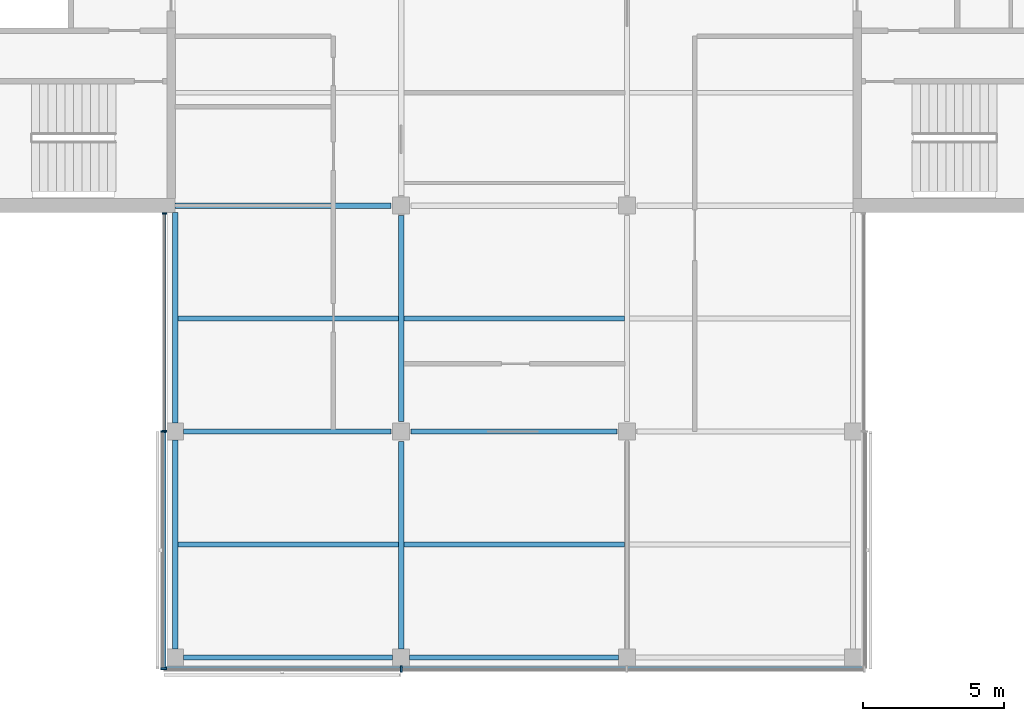
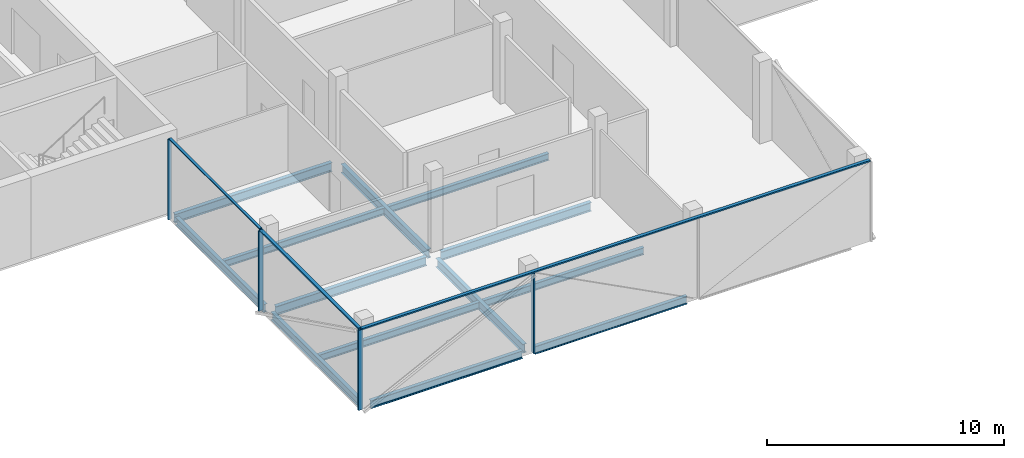
# One storey, part 2 of 16: 13 beams, 8 members, 3 elements without a shape of their own.
"""IFC4 building model written with IfcOpenShell, lengths in metres."""

from ifc_helpers import new_model, si_unit, direction, frame, origin, origin_2d, place, context, subcontext, project, spatial, rectangle, i_section, extrude, material, material_profile, profile_set, type_object, element, aggregate, save


model = new_model("IFC4")

# Units and contexts
model_context = context("Model", 3, precision=1e-05, world=origin(), true_north=direction((0.0, 1.0)))
body_context = subcontext(model_context, "Body", "Model", "MODEL_VIEW")
ifc_project = project(units=[si_unit("LENGTHUNIT", "METRE"), si_unit("AREAUNIT", "SQUARE_METRE"), si_unit("VOLUMEUNIT", "CUBIC_METRE"), si_unit("PLANEANGLEUNIT", "RADIAN"), si_unit("MASSUNIT", "GRAM", prefix="KILO")], contexts=[model_context])

# Site, building, storey
site_placement = place(None, origin())
site = spatial("IfcSite", under=ifc_project, at=site_placement, CompositionType="ELEMENT")
building_placement = place(site_placement, origin())
building = spatial("IfcBuilding", under=site, at=building_placement, Name="Crosswind Convention Tower", CompositionType="ELEMENT")
storey_placement = place(building_placement, frame((0.0, 0.0, 295.5)))
storey = spatial("IfcBuildingStorey", under=building, at=storey_placement, Name="L64", CompositionType="ELEMENT", Elevation=295.5)

# Beams
ifc_material_1 = material(Name="Steel S355", Category="steel")
ifc_material_profile_1 = material_profile(ifc_material_1, i_section(OverallWidth=0.177734375, OverallDepth=0.406494140625, WebThickness=0.0078125, FlangeThickness=0.0126953125, FilletRadius=0.01025390625, at=origin_2d()), Name="UB 406x178x60")
ifc_profile_set_1 = profile_set([ifc_material_profile_1], Name="Steel S355")
beam_type_1 = type_object("IfcBeamType", Name="Edge beam UB 406x178x60", PredefinedType="SPANDREL", material=ifc_profile_set_1)
beam_1_placement = place(storey_placement, frame((113.0, 72.300048828125, -0.503173828125), z_axis=(0.0, 1.0, 0.0), x_axis=(-1.0, 0.0, 0.0)))
element("IfcBeam", 1, at=beam_1_placement, inside=storey, type_object=beam_type_1, Name="B15 L64 edge beam 1", PredefinedType="SPANDREL", context=body_context, shape_type="SweptSolid", body=[
    extrude(i_section(OverallWidth=0.177734375, OverallDepth=0.406494140625, WebThickness=0.0078125, FlangeThickness=0.0126953125, FilletRadius=0.01025390625, at=origin_2d()), origin(), (0.0, 0.0, 1.0), 7.39990234375),
])
beam_2_placement = place(storey_placement, frame((113.0, 80.300048828125, -0.503173828125), z_axis=(0.0, 1.0, 0.0), x_axis=(-1.0, 0.0, 0.0)))
element("IfcBeam", 2, at=beam_2_placement, inside=storey, type_object=beam_type_1, Name="B15 L64 edge beam 2", PredefinedType="SPANDREL", context=body_context, shape_type="SweptSolid", body=[
    extrude(i_section(OverallWidth=0.177734375, OverallDepth=0.406494140625, WebThickness=0.0078125, FlangeThickness=0.0126953125, FilletRadius=0.01025390625, at=origin_2d()), origin(), (0.0, 0.0, 1.0), 7.449951171875),
])
for number, where, z_axis, x_axis, name in (
    (3, (113.300048828125, 72.0, -0.503173828125), (1.0, 0.0, 0.0), (0.0, 1.0, 0.0), "B15 L64 edge beam 5"),
    (4, (121.300048828125, 72.0, -0.503173828125), (1.0, 0.0, 0.0), (0.0, 1.0, 0.0), "B15 L64 edge beam 7"),
):
    element("IfcBeam", number, at=place(storey_placement, frame(where, z_axis=z_axis, x_axis=x_axis)), inside=storey, type_object=beam_type_1, Name=name, PredefinedType="SPANDREL", context=body_context, shape_type="SweptSolid", body=[
        extrude(i_section(OverallWidth=0.177734375, OverallDepth=0.406494140625, WebThickness=0.0078125, FlangeThickness=0.0126953125, FilletRadius=0.01025390625, at=origin_2d()), origin(), (0.0, 0.0, 1.0), 7.39990234375),
    ])
ifc_material_profile_2 = material_profile(ifc_material_1, i_section(OverallWidth=0.18994140625, OverallDepth=0.45361328125, WebThickness=0.008544921875, FlangeThickness=0.0126953125, FilletRadius=0.01025390625, at=origin_2d()), Name="UB 457x191x67")
ifc_profile_set_2 = profile_set([ifc_material_profile_2], Name="Steel S355")
beam_type_2 = type_object("IfcBeamType", Name="Girder UB 457x191x67", PredefinedType="BEAM", material=ifc_profile_set_2)
for number, where, z_axis, x_axis, name in (
    (5, (113.300048828125, 80.0, -0.52685546875), (1.0, 0.0, 0.0), (0.0, 1.0, 0.0), "B1 L64 girder 1"),
    (6, (121.0, 72.300048828125, -0.52685546875), (0.0, 1.0, 0.0), (-1.0, 0.0, 0.0), "B1 L64 girder 3"),
):
    element("IfcBeam", number, at=place(storey_placement, frame(where, z_axis=z_axis, x_axis=x_axis)), inside=storey, type_object=beam_type_2, Name=name, PredefinedType="BEAM", context=body_context, shape_type="SweptSolid", body=[
        extrude(i_section(OverallWidth=0.18994140625, OverallDepth=0.45361328125, WebThickness=0.008544921875, FlangeThickness=0.0126953125, FilletRadius=0.01025390625, at=origin_2d()), origin(), (0.0, 0.0, 1.0), 7.349853515625),
    ])
for number, where, z_axis, x_axis, name in (
    (7, (121.0, 80.35009765625, -0.52685546875), (0.0, 1.0, 0.0), (-1.0, 0.0, 0.0), "B1 L64 girder 4"),
    (8, (121.35009765625, 80.0, -0.52685546875), (1.0, 0.0, 0.0), (0.0, 1.0, 0.0), "B1 L64 girder 10"),
):
    element("IfcBeam", number, at=place(storey_placement, frame(where, z_axis=z_axis, x_axis=x_axis)), inside=storey, type_object=beam_type_2, Name=name, PredefinedType="BEAM", context=body_context, shape_type="SweptSolid", body=[
        extrude(i_section(OverallWidth=0.18994140625, OverallDepth=0.45361328125, WebThickness=0.008544921875, FlangeThickness=0.0126953125, FilletRadius=0.01025390625, at=origin_2d()), origin(), (0.0, 0.0, 1.0), 7.2998046875),
    ])
ifc_material_profile_3 = material_profile(ifc_material_1, i_section(OverallWidth=0.1904296875, OverallDepth=0.457275390625, WebThickness=0.009033203125, FlangeThickness=0.014404296875, FilletRadius=0.01025390625, at=origin_2d()), Name="UB 457x191x75")
ifc_profile_set_3 = profile_set([ifc_material_profile_3], Name="Steel S355")
beam_type_3 = type_object("IfcBeamType", Name="Girder at core wall UB 457x191x75", PredefinedType="BEAM", material=ifc_profile_set_3)
beam_3_placement = place(storey_placement, frame((113.0, 88.0, -0.528564453125), z_axis=(1.0, 0.0, 0.0), x_axis=(0.0, 1.0, 0.0)))
element("IfcBeam", 9, at=beam_3_placement, inside=storey, type_object=beam_type_3, Name="B22 L64 girder at core wall 1", PredefinedType="BEAM", context=body_context, shape_type="SweptSolid", body=[
    extrude(i_section(OverallWidth=0.1904296875, OverallDepth=0.457275390625, WebThickness=0.009033203125, FlangeThickness=0.014404296875, FilletRadius=0.01025390625, at=origin_2d()), origin(), (0.0, 0.0, 1.0), 7.64990234375),
])

# Curtain wall, members
ifc_material_2 = material(Name="Aluminium unitised curtain wall", Category="aluminium")
curtain_wall_type_1 = type_object("IfcCurtainWallType", Name="CORE END SLOT WALL 160", PredefinedType="USERDEFINED", material=ifc_material_2)
curtain_wall_1_placement = place(storey_placement, origin())
curtain_wall_1 = element("IfcCurtainWall", 10, at=curtain_wall_1_placement, inside=storey, type_object=curtain_wall_type_1, Name="CW6 L64 S-W.1-1 slot", ObjectType="UNITISED", PredefinedType="USERDEFINED")
ifc_material_3 = material(Name="Aluminium mullion", Category="aluminium")
ifc_material_profile_4 = material_profile(ifc_material_3, rectangle(XDim=0.159912109375, YDim=0.050048828125, at=origin_2d()), Name="AL 160X50")
ifc_profile_set_4 = profile_set([ifc_material_profile_4], Name="Aluminium mullion")
member_type_1 = type_object("IfcMemberType", Name="MULLION 50X160", PredefinedType="MULLION", material=ifc_profile_set_4)
member_1_placement = place(storey_placement, frame((112.6201171875, 87.72509765625, -0.300048828125), z_axis=(0.0, 0.0, 1.0), x_axis=(-1.0, 0.0, 0.0)))
member_1 = element("IfcMember", 11, at=member_1_placement, type_object=member_type_1, Name="CW6 mullion 1", PredefinedType="MULLION", context=body_context, shape_type="SweptSolid", body=[
    extrude(rectangle(XDim=0.159912109375, YDim=0.050048828125, at=origin_2d()), origin(), (0.0, 0.0, 1.0), 4.150146484375),
])
member_2_placement = place(storey_placement, frame((112.6201171875, 80.02490234375, -0.300048828125), z_axis=(0.0, 0.0, 1.0), x_axis=(-1.0, 0.0, 0.0)))
member_2 = element("IfcMember", 12, at=member_2_placement, type_object=member_type_1, Name="CW6 mullion 2", PredefinedType="MULLION", context=body_context, shape_type="SweptSolid", body=[
    extrude(rectangle(XDim=0.159912109375, YDim=0.050048828125, at=origin_2d()), origin(), (0.0, 0.0, 1.0), 4.150146484375),
])

curtain_wall_type_2 = type_object("IfcCurtainWallType", Name="OFFICE UNITISED WALL 220", PredefinedType="USERDEFINED", material=ifc_material_2)
curtain_wall_2_placement = place(storey_placement, origin())
curtain_wall_2 = element("IfcCurtainWall", 13, at=curtain_wall_2_placement, inside=storey, type_object=curtain_wall_type_2, Name="CW3 L64 S-W 1", ObjectType="UNITISED", PredefinedType="USERDEFINED")
ifc_material_profile_5 = material_profile(ifc_material_3, rectangle(XDim=0.219970703125, YDim=0.070068359375, at=origin_2d()), Name="AL 220X70")
ifc_profile_set_5 = profile_set([ifc_material_profile_5], Name="Aluminium mullion")
member_type_2 = type_object("IfcMemberType", Name="MULLION 70X220", PredefinedType="MULLION", material=ifc_profile_set_5)
member_3_placement = place(storey_placement, frame((112.590087890625, 80.0, -0.300048828125), z_axis=(0.0, 0.0, 1.0), x_axis=(-1.0, 0.0, 0.0)))
member_3 = element("IfcMember", 14, at=member_3_placement, type_object=member_type_2, Name="CW3 mullion 1", PredefinedType="MULLION", context=body_context, shape_type="SweptSolid", body=[
    extrude(rectangle(XDim=0.219970703125, YDim=0.070068359375, at=origin_2d()), origin(), (0.0, 0.0, 1.0), 4.130126953125),
])
member_4_placement = place(storey_placement, frame((112.590087890625, 71.590087890625, -0.300048828125), z_axis=(0.0, 0.0, 1.0), x_axis=(-1.0, 0.0, 0.0)))
member_4 = element("IfcMember", 15, at=member_4_placement, type_object=member_type_2, Name="CW3 mullion 2", PredefinedType="MULLION", context=body_context, shape_type="SweptSolid", body=[
    extrude(rectangle(XDim=0.219970703125, YDim=0.070068359375, at=origin_2d()), origin(), (0.0, 0.0, 1.0), 4.130126953125),
])

# Curtain wall, member
curtain_wall_3_placement = place(storey_placement, origin())
curtain_wall_3 = element("IfcCurtainWall", 16, at=curtain_wall_3_placement, inside=storey, type_object=curtain_wall_type_2, Name="CW3 L64 S-TIP 1", ObjectType="UNITISED", PredefinedType="USERDEFINED")
member_5_placement = place(storey_placement, frame((121.0, 71.590087890625, -0.300048828125), z_axis=(0.0, 0.0, 1.0), x_axis=(0.0, -1.0, 0.0)))
member_5 = element("IfcMember", 17, at=member_5_placement, type_object=member_type_2, Name="CW3 mullion 2", PredefinedType="MULLION", context=body_context, shape_type="SweptSolid", body=[
    extrude(rectangle(XDim=0.219970703125, YDim=0.070068359375, at=origin_2d()), origin(), (0.0, 0.0, 1.0), 4.130126953125),
])

# Beams
ifc_material_profile_6 = material_profile(ifc_material_1, i_section(OverallWidth=0.17138671875, OverallDepth=0.355712890625, WebThickness=0.00732421875, FlangeThickness=0.011474609375, FilletRadius=0.01025390625, at=origin_2d()), Name="UB 356x171x51")
ifc_profile_set_6 = profile_set([ifc_material_profile_6], Name="Steel S355")
beam_type_4 = type_object("IfcBeamType", Name="Secondary beam UB 356x171x51", PredefinedType="JOIST", material=ifc_profile_set_6)
for number, where, z_axis, x_axis, name in (
    (18, (113.0888671875, 76.0, -0.477783203125), (1.0, 0.0, 0.0), (0.0, 1.0, 0.0), "B8 L64 secondary beam 4"),
    (19, (113.0888671875, 84.0, -0.477783203125), (1.0, 0.0, 0.0), (0.0, 1.0, 0.0), "B8 L64 secondary beam 5"),
):
    element("IfcBeam", number, at=place(storey_placement, frame(where, z_axis=z_axis, x_axis=x_axis)), inside=storey, type_object=beam_type_4, Name=name, PredefinedType="JOIST", context=body_context, shape_type="SweptSolid", body=[
        extrude(i_section(OverallWidth=0.17138671875, OverallDepth=0.355712890625, WebThickness=0.00732421875, FlangeThickness=0.011474609375, FilletRadius=0.01025390625, at=origin_2d()), origin(), (0.0, 0.0, 1.0), 7.816162109375),
    ])
for number, where, z_axis, x_axis, name in (
    (20, (121.094970703125, 76.0, -0.477783203125), (1.0, 0.0, 0.0), (0.0, 1.0, 0.0), "B8 L64 secondary beam 8"),
    (21, (121.094970703125, 84.0, -0.477783203125), (1.0, 0.0, 0.0), (0.0, 1.0, 0.0), "B8 L64 secondary beam 9"),
):
    element("IfcBeam", number, at=place(storey_placement, frame(where, z_axis=z_axis, x_axis=x_axis)), inside=storey, type_object=beam_type_4, Name=name, PredefinedType="JOIST", context=body_context, shape_type="SweptSolid", body=[
        extrude(i_section(OverallWidth=0.17138671875, OverallDepth=0.355712890625, WebThickness=0.00732421875, FlangeThickness=0.011474609375, FilletRadius=0.01025390625, at=origin_2d()), origin(), (0.0, 0.0, 1.0), 7.81005859375),
    ])

# Member
ifc_material_4 = material(Name="Aluminium transom", Category="aluminium")
ifc_material_profile_7 = material_profile(ifc_material_4, rectangle(XDim=0.1201171875, YDim=0.050048828125, at=origin_2d()), Name="AL 120X50")
ifc_profile_set_7 = profile_set([ifc_material_profile_7], Name="Aluminium transom")
member_type_3 = type_object("IfcMemberType", Name="TRANSOM 50X120", PredefinedType="USERDEFINED", material=ifc_profile_set_7)
member_6_placement = place(storey_placement, frame((112.6201171875, 87.699951171875, 3.875), z_axis=(0.0, -1.0, 0.0), x_axis=(1.0, 0.0, 0.0)))
member_6 = element("IfcMember", 22, at=member_6_placement, type_object=member_type_3, Name="CW6 transom", ObjectType="TRANSOM", PredefinedType="USERDEFINED", context=body_context, shape_type="SweptSolid", body=[
    extrude(rectangle(XDim=0.1201171875, YDim=0.050048828125, at=origin_2d()), origin(), (0.0, 0.0, 1.0), 7.64990234375),
])

aggregate(curtain_wall_1, [member_1, member_2, member_6])

ifc_material_profile_8 = material_profile(ifc_material_4, rectangle(XDim=0.159912109375, YDim=0.070068359375, at=origin_2d()), Name="AL 160X70")
ifc_profile_set_8 = profile_set([ifc_material_profile_8], Name="Aluminium transom")
member_type_4 = type_object("IfcMemberType", Name="TRANSOM 70X160", PredefinedType="USERDEFINED", material=ifc_profile_set_8)
member_7_placement = place(storey_placement, frame((112.590087890625, 79.965087890625, 3.864990234375), z_axis=(0.0, -1.0, 0.0), x_axis=(1.0, 0.0, 0.0)))
member_7 = element("IfcMember", 23, at=member_7_placement, type_object=member_type_4, Name="CW3 transom", ObjectType="TRANSOM", PredefinedType="USERDEFINED", context=body_context, shape_type="SweptSolid", body=[
    extrude(rectangle(XDim=0.159912109375, YDim=0.070068359375, at=origin_2d()), origin(), (0.0, 0.0, 1.0), 8.340087890625),
])

aggregate(curtain_wall_2, [member_3, member_4, member_7])

member_8_placement = place(storey_placement, frame((112.625, 71.590087890625, 3.864990234375), z_axis=(1.0, 0.0, 0.0), x_axis=(0.0, 1.0, 0.0)))
member_8 = element("IfcMember", 24, at=member_8_placement, type_object=member_type_4, Name="CW3 transom", ObjectType="TRANSOM", PredefinedType="USERDEFINED", context=body_context, shape_type="SweptSolid", body=[
    extrude(rectangle(XDim=0.159912109375, YDim=0.070068359375, at=origin_2d()), origin(), (0.0, 0.0, 1.0), 24.75),
])

aggregate(curtain_wall_3, [member_5, member_8])

save(model, "model.ifc")
